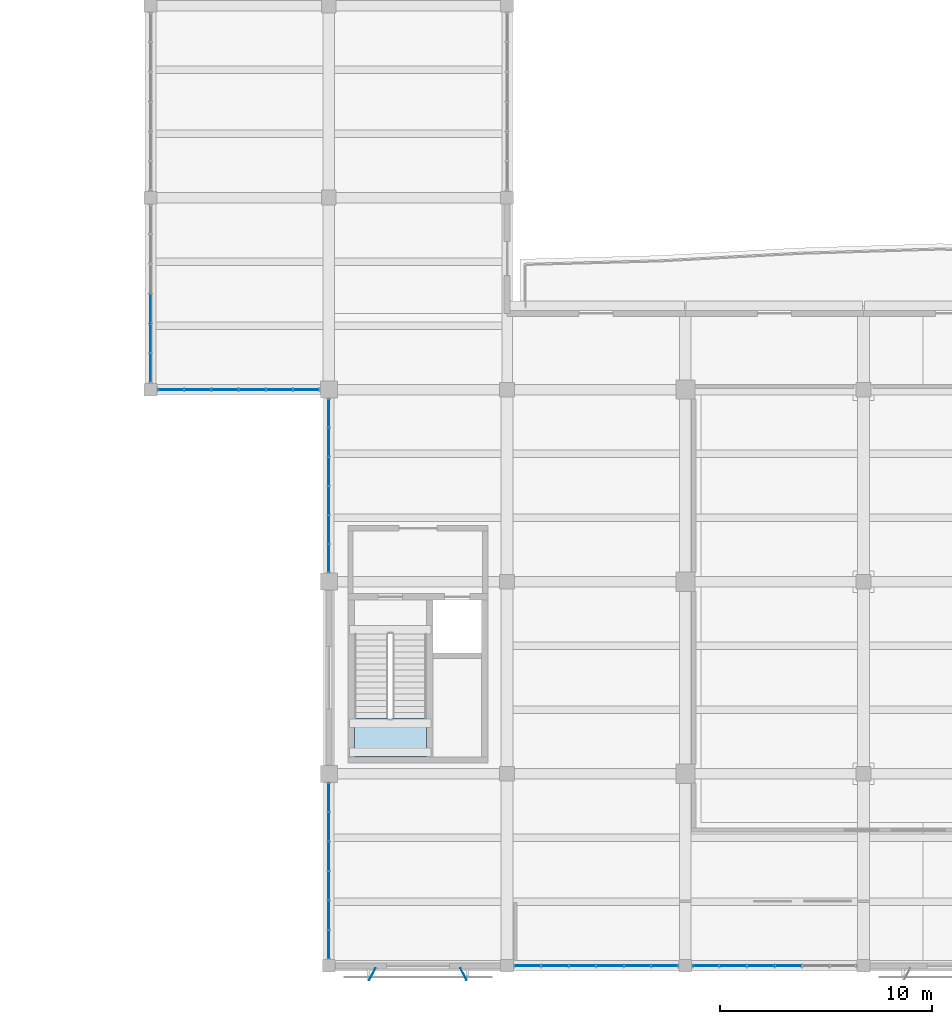
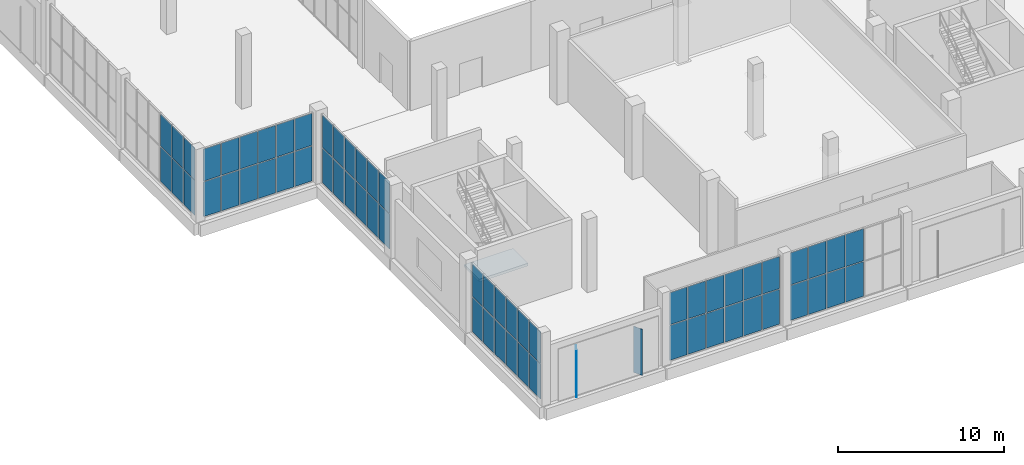
# One storey, part 94 of 132: 64 plates, 1 slab, 7 elements without a shape of their own.
"""IFC4 building model written with IfcOpenShell, lengths in metres."""

from ifc_helpers import new_model, si_unit, direction, frame, origin, origin_2d, place, context, subcontext, project, spatial, polyline, rectangle, outline, extrude, material, layer, layer_set, type_object, element, aggregate, save


model = new_model("IFC4")

# Units and contexts
model_context = context("Model", 3, precision=1e-05, world=origin(), true_north=direction((0.0, 1.0)))
body_context = subcontext(model_context, "Body", "Model", "MODEL_VIEW")
ifc_project = project(units=[si_unit("LENGTHUNIT", "METRE"), si_unit("AREAUNIT", "SQUARE_METRE"), si_unit("VOLUMEUNIT", "CUBIC_METRE"), si_unit("PLANEANGLEUNIT", "RADIAN"), si_unit("MASSUNIT", "GRAM", prefix="KILO")], contexts=[model_context])

# Site, building, storey
site_placement = place(None, origin())
site = spatial("IfcSite", under=ifc_project, at=site_placement, CompositionType="ELEMENT")
building_placement = place(site_placement, origin())
building = spatial("IfcBuilding", under=site, at=building_placement, Name="Khurvash Pelagic Aquarium", CompositionType="ELEMENT")
storey_placement = place(building_placement, frame((0.0, 0.0, 5.39990234375)))
storey = spatial("IfcBuildingStorey", under=building, at=storey_placement, Name="L01", CompositionType="ELEMENT", Elevation=5.39990234375)

# Curtain wall, plates
ifc_material_1 = material(Name="Anodised aluminium and low-E laminated glass", Category="aluminium")
curtain_wall_type_1 = type_object("IfcCurtainWallType", Name="CW-05", PredefinedType="USERDEFINED", material=ifc_material_1)
curtain_wall_1_placement = place(storey_placement, origin())
curtain_wall_1 = element("IfcCurtainWall", 1, at=curtain_wall_1_placement, inside=storey, type_object=curtain_wall_type_1, Name="L01 Facade Unitised Curtain Wall CW-05 0102", ObjectType="UNITISED CURTAIN WALL", PredefinedType="USERDEFINED")
ifc_material_2 = material(Name="Low-E laminated double glazing", Category="glass")
ifc_layer_1 = layer(ifc_material_2, 0.033935546875)
ifc_layer_set_1 = layer_set([ifc_layer_1], Name="Low-E laminated double glazing")
plate_type_1 = type_object("IfcPlateType", Name="CG-05", PredefinedType="CURTAIN_PANEL", material=ifc_layer_set_1)
plate_1_placement = place(storey_placement, frame((34.569091796875, 2.60009765625, 0.06005859375), z_axis=(0.0, 0.0, 1.0), x_axis=(1.0, 0.0, 0.0)))
plate_1 = element("IfcPlate", 2, at=plate_1_placement, type_object=plate_type_1, Name="CW-05 panel 1.1", PredefinedType="CURTAIN_PANEL", context=body_context, shape_type="SweptSolid", body=[
    extrude(rectangle(XDim=1.208251953125, YDim=0.033935546875, at=origin_2d()), origin(), (0.0, 0.0, 1.0), 2.56201171875),
])
plate_2_placement = place(storey_placement, frame((34.569091796875, 2.60009765625, 2.68212890625), z_axis=(0.0, 0.0, 1.0), x_axis=(1.0, 0.0, 0.0)))
plate_2 = element("IfcPlate", 3, at=plate_2_placement, type_object=plate_type_1, Name="CW-05 panel 1.2", PredefinedType="CURTAIN_PANEL", context=body_context, shape_type="SweptSolid", body=[
    extrude(rectangle(XDim=1.208251953125, YDim=0.033935546875, at=origin_2d()), origin(), (0.0, 0.0, 1.0), 2.35791015625),
])
plate_3_placement = place(storey_placement, frame((35.8525390625, 2.60009765625, 0.06005859375), z_axis=(0.0, 0.0, 1.0), x_axis=(1.0, 0.0, 0.0)))
plate_3 = element("IfcPlate", 4, at=plate_3_placement, type_object=plate_type_1, Name="CW-05 panel 2.1", PredefinedType="CURTAIN_PANEL", context=body_context, shape_type="SweptSolid", body=[
    extrude(rectangle(XDim=1.23828125, YDim=0.033935546875, at=origin_2d()), origin(), (0.0, 0.0, 1.0), 2.56201171875),
])
plate_4_placement = place(storey_placement, frame((35.8525390625, 2.60009765625, 2.68212890625), z_axis=(0.0, 0.0, 1.0), x_axis=(1.0, 0.0, 0.0)))
plate_4 = element("IfcPlate", 5, at=plate_4_placement, type_object=plate_type_1, Name="CW-05 panel 2.2", PredefinedType="CURTAIN_PANEL", context=body_context, shape_type="SweptSolid", body=[
    extrude(rectangle(XDim=1.23828125, YDim=0.033935546875, at=origin_2d()), origin(), (0.0, 0.0, 1.0), 2.35791015625),
])
plate_5_placement = place(storey_placement, frame((37.15087890625, 2.60009765625, 0.06005859375), z_axis=(0.0, 0.0, 1.0), x_axis=(1.0, 0.0, 0.0)))
plate_5 = element("IfcPlate", 6, at=plate_5_placement, type_object=plate_type_1, Name="CW-05 panel 3.1", PredefinedType="CURTAIN_PANEL", context=body_context, shape_type="SweptSolid", body=[
    extrude(rectangle(XDim=1.23828125, YDim=0.033935546875, at=origin_2d()), origin(), (0.0, 0.0, 1.0), 2.56201171875),
])
plate_6_placement = place(storey_placement, frame((37.15087890625, 2.60009765625, 2.68212890625), z_axis=(0.0, 0.0, 1.0), x_axis=(1.0, 0.0, 0.0)))
plate_6 = element("IfcPlate", 7, at=plate_6_placement, type_object=plate_type_1, Name="CW-05 panel 3.2", PredefinedType="CURTAIN_PANEL", context=body_context, shape_type="SweptSolid", body=[
    extrude(rectangle(XDim=1.23828125, YDim=0.033935546875, at=origin_2d()), origin(), (0.0, 0.0, 1.0), 2.35791015625),
])
plate_7_placement = place(storey_placement, frame((38.44921875, 2.60009765625, 0.06005859375), z_axis=(0.0, 0.0, 1.0), x_axis=(1.0, 0.0, 0.0)))
plate_7 = element("IfcPlate", 8, at=plate_7_placement, type_object=plate_type_1, Name="CW-05 panel 4.1", PredefinedType="CURTAIN_PANEL", context=body_context, shape_type="SweptSolid", body=[
    extrude(rectangle(XDim=1.23828125, YDim=0.033935546875, at=origin_2d()), origin(), (0.0, 0.0, 1.0), 2.56201171875),
])
plate_8_placement = place(storey_placement, frame((38.44921875, 2.60009765625, 2.68212890625), z_axis=(0.0, 0.0, 1.0), x_axis=(1.0, 0.0, 0.0)))
plate_8 = element("IfcPlate", 9, at=plate_8_placement, type_object=plate_type_1, Name="CW-05 panel 4.2", PredefinedType="CURTAIN_PANEL", context=body_context, shape_type="SweptSolid", body=[
    extrude(rectangle(XDim=1.23828125, YDim=0.033935546875, at=origin_2d()), origin(), (0.0, 0.0, 1.0), 2.35791015625),
])
plate_9_placement = place(storey_placement, frame((39.74755859375, 2.60009765625, 0.06005859375), z_axis=(0.0, 0.0, 1.0), x_axis=(1.0, 0.0, 0.0)))
plate_9 = element("IfcPlate", 10, at=plate_9_placement, type_object=plate_type_1, Name="CW-05 panel 5.1", PredefinedType="CURTAIN_PANEL", context=body_context, shape_type="SweptSolid", body=[
    extrude(rectangle(XDim=1.23828125, YDim=0.033935546875, at=origin_2d()), origin(), (0.0, 0.0, 1.0), 2.56201171875),
])
plate_10_placement = place(storey_placement, frame((39.74755859375, 2.60009765625, 2.68212890625), z_axis=(0.0, 0.0, 1.0), x_axis=(1.0, 0.0, 0.0)))
plate_10 = element("IfcPlate", 11, at=plate_10_placement, type_object=plate_type_1, Name="CW-05 panel 5.2", PredefinedType="CURTAIN_PANEL", context=body_context, shape_type="SweptSolid", body=[
    extrude(rectangle(XDim=1.23828125, YDim=0.033935546875, at=origin_2d()), origin(), (0.0, 0.0, 1.0), 2.35791015625),
])
plate_11_placement = place(storey_placement, frame((41.03076171875, 2.60009765625, 0.06005859375), z_axis=(0.0, 0.0, 1.0), x_axis=(1.0, 0.0, 0.0)))
plate_11 = element("IfcPlate", 12, at=plate_11_placement, type_object=plate_type_1, Name="CW-05 panel 6.1", PredefinedType="CURTAIN_PANEL", context=body_context, shape_type="SweptSolid", body=[
    extrude(rectangle(XDim=1.208251953125, YDim=0.033935546875, at=origin_2d()), origin(), (0.0, 0.0, 1.0), 2.56201171875),
])
plate_12_placement = place(storey_placement, frame((41.03076171875, 2.60009765625, 2.68212890625), z_axis=(0.0, 0.0, 1.0), x_axis=(1.0, 0.0, 0.0)))
plate_12 = element("IfcPlate", 13, at=plate_12_placement, type_object=plate_type_1, Name="CW-05 panel 6.2", PredefinedType="CURTAIN_PANEL", context=body_context, shape_type="SweptSolid", body=[
    extrude(rectangle(XDim=1.208251953125, YDim=0.033935546875, at=origin_2d()), origin(), (0.0, 0.0, 1.0), 2.35791015625),
])
aggregate(curtain_wall_1, [plate_1, plate_2, plate_3, plate_4, plate_5, plate_6, plate_7, plate_8, plate_9, plate_10, plate_11, plate_12])

curtain_wall_2_placement = place(storey_placement, origin())
curtain_wall_2 = element("IfcCurtainWall", 14, at=curtain_wall_2_placement, inside=storey, type_object=curtain_wall_type_1, Name="L01 Facade Unitised Curtain Wall CW-05 0103", ObjectType="UNITISED CURTAIN WALL", PredefinedType="USERDEFINED")
plate_13_placement = place(storey_placement, frame((42.96923828125, 2.60009765625, 0.06005859375), z_axis=(0.0, 0.0, 1.0), x_axis=(1.0, 0.0, 0.0)))
plate_13 = element("IfcPlate", 15, at=plate_13_placement, type_object=plate_type_1, Name="CW-05 panel 1.1", PredefinedType="CURTAIN_PANEL", context=body_context, shape_type="SweptSolid", body=[
    extrude(rectangle(XDim=1.208251953125, YDim=0.033935546875, at=origin_2d()), origin(), (0.0, 0.0, 1.0), 2.56201171875),
])
plate_14_placement = place(storey_placement, frame((42.96923828125, 2.60009765625, 2.68212890625), z_axis=(0.0, 0.0, 1.0), x_axis=(1.0, 0.0, 0.0)))
plate_14 = element("IfcPlate", 16, at=plate_14_placement, type_object=plate_type_1, Name="CW-05 panel 1.2", PredefinedType="CURTAIN_PANEL", context=body_context, shape_type="SweptSolid", body=[
    extrude(rectangle(XDim=1.208251953125, YDim=0.033935546875, at=origin_2d()), origin(), (0.0, 0.0, 1.0), 2.35791015625),
])
plate_15_placement = place(storey_placement, frame((44.25244140625, 2.60009765625, 0.06005859375), z_axis=(0.0, 0.0, 1.0), x_axis=(1.0, 0.0, 0.0)))
plate_15 = element("IfcPlate", 17, at=plate_15_placement, type_object=plate_type_1, Name="CW-05 panel 2.1", PredefinedType="CURTAIN_PANEL", context=body_context, shape_type="SweptSolid", body=[
    extrude(rectangle(XDim=1.23828125, YDim=0.033935546875, at=origin_2d()), origin(), (0.0, 0.0, 1.0), 2.56201171875),
])
plate_16_placement = place(storey_placement, frame((44.25244140625, 2.60009765625, 2.68212890625), z_axis=(0.0, 0.0, 1.0), x_axis=(1.0, 0.0, 0.0)))
plate_16 = element("IfcPlate", 18, at=plate_16_placement, type_object=plate_type_1, Name="CW-05 panel 2.2", PredefinedType="CURTAIN_PANEL", context=body_context, shape_type="SweptSolid", body=[
    extrude(rectangle(XDim=1.23828125, YDim=0.033935546875, at=origin_2d()), origin(), (0.0, 0.0, 1.0), 2.35791015625),
])
plate_17_placement = place(storey_placement, frame((45.55078125, 2.60009765625, 0.06005859375), z_axis=(0.0, 0.0, 1.0), x_axis=(1.0, 0.0, 0.0)))
plate_17 = element("IfcPlate", 19, at=plate_17_placement, type_object=plate_type_1, Name="CW-05 panel 3.1", PredefinedType="CURTAIN_PANEL", context=body_context, shape_type="SweptSolid", body=[
    extrude(rectangle(XDim=1.23828125, YDim=0.033935546875, at=origin_2d()), origin(), (0.0, 0.0, 1.0), 2.56201171875),
])
plate_18_placement = place(storey_placement, frame((45.55078125, 2.60009765625, 2.68212890625), z_axis=(0.0, 0.0, 1.0), x_axis=(1.0, 0.0, 0.0)))
plate_18 = element("IfcPlate", 20, at=plate_18_placement, type_object=plate_type_1, Name="CW-05 panel 3.2", PredefinedType="CURTAIN_PANEL", context=body_context, shape_type="SweptSolid", body=[
    extrude(rectangle(XDim=1.23828125, YDim=0.033935546875, at=origin_2d()), origin(), (0.0, 0.0, 1.0), 2.35791015625),
])
plate_19_placement = place(storey_placement, frame((46.84912109375, 2.60009765625, 0.06005859375), z_axis=(0.0, 0.0, 1.0), x_axis=(1.0, 0.0, 0.0)))
plate_19 = element("IfcPlate", 21, at=plate_19_placement, type_object=plate_type_1, Name="CW-05 panel 4.1", PredefinedType="CURTAIN_PANEL", context=body_context, shape_type="SweptSolid", body=[
    extrude(rectangle(XDim=1.23828125, YDim=0.033935546875, at=origin_2d()), origin(), (0.0, 0.0, 1.0), 2.56201171875),
])
plate_20_placement = place(storey_placement, frame((46.84912109375, 2.60009765625, 2.68212890625), z_axis=(0.0, 0.0, 1.0), x_axis=(1.0, 0.0, 0.0)))
plate_20 = element("IfcPlate", 22, at=plate_20_placement, type_object=plate_type_1, Name="CW-05 panel 4.2", PredefinedType="CURTAIN_PANEL", context=body_context, shape_type="SweptSolid", body=[
    extrude(rectangle(XDim=1.23828125, YDim=0.033935546875, at=origin_2d()), origin(), (0.0, 0.0, 1.0), 2.35791015625),
])
aggregate(curtain_wall_2, [plate_13, plate_14, plate_15, plate_16, plate_17, plate_18, plate_19, plate_20])

curtain_wall_3_placement = place(storey_placement, origin())
curtain_wall_3 = element("IfcCurtainWall", 23, at=curtain_wall_3_placement, inside=storey, type_object=curtain_wall_type_1, Name="L01 Facade Unitised Curtain Wall CW-05 0130", ObjectType="UNITISED CURTAIN WALL", PredefinedType="USERDEFINED")
plate_21_placement = place(storey_placement, frame((17.7607421875, 29.75, 0.06005859375), z_axis=(0.0, 0.0, 1.0), x_axis=(1.0, 0.0, 0.0)))
plate_21 = element("IfcPlate", 24, at=plate_21_placement, type_object=plate_type_1, Name="CW-05 panel 1.1", PredefinedType="CURTAIN_PANEL", context=body_context, shape_type="SweptSolid", body=[
    extrude(rectangle(XDim=1.191650390625, YDim=0.033935546875, at=origin_2d()), origin(), (0.0, 0.0, 1.0), 2.56201171875),
])
plate_22_placement = place(storey_placement, frame((17.7607421875, 29.75, 2.68212890625), z_axis=(0.0, 0.0, 1.0), x_axis=(1.0, 0.0, 0.0)))
plate_22 = element("IfcPlate", 25, at=plate_22_placement, type_object=plate_type_1, Name="CW-05 panel 1.2", PredefinedType="CURTAIN_PANEL", context=body_context, shape_type="SweptSolid", body=[
    extrude(rectangle(XDim=1.191650390625, YDim=0.033935546875, at=origin_2d()), origin(), (0.0, 0.0, 1.0), 2.35791015625),
])
plate_23_placement = place(storey_placement, frame((19.027587890625, 29.75, 0.06005859375), z_axis=(0.0, 0.0, 1.0), x_axis=(1.0, 0.0, 0.0)))
plate_23 = element("IfcPlate", 26, at=plate_23_placement, type_object=plate_type_1, Name="CW-05 panel 2.1", PredefinedType="CURTAIN_PANEL", context=body_context, shape_type="SweptSolid", body=[
    extrude(rectangle(XDim=1.2216796875, YDim=0.033935546875, at=origin_2d()), origin(), (0.0, 0.0, 1.0), 2.56201171875),
])
plate_24_placement = place(storey_placement, frame((19.027587890625, 29.75, 2.68212890625), z_axis=(0.0, 0.0, 1.0), x_axis=(1.0, 0.0, 0.0)))
plate_24 = element("IfcPlate", 27, at=plate_24_placement, type_object=plate_type_1, Name="CW-05 panel 2.2", PredefinedType="CURTAIN_PANEL", context=body_context, shape_type="SweptSolid", body=[
    extrude(rectangle(XDim=1.2216796875, YDim=0.033935546875, at=origin_2d()), origin(), (0.0, 0.0, 1.0), 2.35791015625),
])
plate_25_placement = place(storey_placement, frame((20.30908203125, 29.75, 0.06005859375), z_axis=(0.0, 0.0, 1.0), x_axis=(1.0, 0.0, 0.0)))
plate_25 = element("IfcPlate", 28, at=plate_25_placement, type_object=plate_type_1, Name="CW-05 panel 3.1", PredefinedType="CURTAIN_PANEL", context=body_context, shape_type="SweptSolid", body=[
    extrude(rectangle(XDim=1.2216796875, YDim=0.033935546875, at=origin_2d()), origin(), (0.0, 0.0, 1.0), 2.56201171875),
])
plate_26_placement = place(storey_placement, frame((20.30908203125, 29.75, 2.68212890625), z_axis=(0.0, 0.0, 1.0), x_axis=(1.0, 0.0, 0.0)))
plate_26 = element("IfcPlate", 29, at=plate_26_placement, type_object=plate_type_1, Name="CW-05 panel 3.2", PredefinedType="CURTAIN_PANEL", context=body_context, shape_type="SweptSolid", body=[
    extrude(rectangle(XDim=1.2216796875, YDim=0.033935546875, at=origin_2d()), origin(), (0.0, 0.0, 1.0), 2.35791015625),
])
plate_27_placement = place(storey_placement, frame((21.5908203125, 29.75, 0.06005859375), z_axis=(0.0, 0.0, 1.0), x_axis=(1.0, 0.0, 0.0)))
plate_27 = element("IfcPlate", 30, at=plate_27_placement, type_object=plate_type_1, Name="CW-05 panel 4.1", PredefinedType="CURTAIN_PANEL", context=body_context, shape_type="SweptSolid", body=[
    extrude(rectangle(XDim=1.2216796875, YDim=0.033935546875, at=origin_2d()), origin(), (0.0, 0.0, 1.0), 2.56201171875),
])
plate_28_placement = place(storey_placement, frame((21.5908203125, 29.75, 2.68212890625), z_axis=(0.0, 0.0, 1.0), x_axis=(1.0, 0.0, 0.0)))
plate_28 = element("IfcPlate", 31, at=plate_28_placement, type_object=plate_type_1, Name="CW-05 panel 4.2", PredefinedType="CURTAIN_PANEL", context=body_context, shape_type="SweptSolid", body=[
    extrude(rectangle(XDim=1.2216796875, YDim=0.033935546875, at=origin_2d()), origin(), (0.0, 0.0, 1.0), 2.35791015625),
])
plate_29_placement = place(storey_placement, frame((22.87255859375, 29.75, 0.06005859375), z_axis=(0.0, 0.0, 1.0), x_axis=(1.0, 0.0, 0.0)))
plate_29 = element("IfcPlate", 32, at=plate_29_placement, type_object=plate_type_1, Name="CW-05 panel 5.1", PredefinedType="CURTAIN_PANEL", context=body_context, shape_type="SweptSolid", body=[
    extrude(rectangle(XDim=1.2216796875, YDim=0.033935546875, at=origin_2d()), origin(), (0.0, 0.0, 1.0), 2.56201171875),
])
plate_30_placement = place(storey_placement, frame((22.87255859375, 29.75, 2.68212890625), z_axis=(0.0, 0.0, 1.0), x_axis=(1.0, 0.0, 0.0)))
plate_30 = element("IfcPlate", 33, at=plate_30_placement, type_object=plate_type_1, Name="CW-05 panel 5.2", PredefinedType="CURTAIN_PANEL", context=body_context, shape_type="SweptSolid", body=[
    extrude(rectangle(XDim=1.2216796875, YDim=0.033935546875, at=origin_2d()), origin(), (0.0, 0.0, 1.0), 2.35791015625),
])
plate_31_placement = place(storey_placement, frame((24.13916015625, 29.75, 0.06005859375), z_axis=(0.0, 0.0, 1.0), x_axis=(1.0, 0.0, 0.0)))
plate_31 = element("IfcPlate", 34, at=plate_31_placement, type_object=plate_type_1, Name="CW-05 panel 6.1", PredefinedType="CURTAIN_PANEL", context=body_context, shape_type="SweptSolid", body=[
    extrude(rectangle(XDim=1.191650390625, YDim=0.033935546875, at=origin_2d()), origin(), (0.0, 0.0, 1.0), 2.56201171875),
])
plate_32_placement = place(storey_placement, frame((24.13916015625, 29.75, 2.68212890625), z_axis=(0.0, 0.0, 1.0), x_axis=(1.0, 0.0, 0.0)))
plate_32 = element("IfcPlate", 35, at=plate_32_placement, type_object=plate_type_1, Name="CW-05 panel 6.2", PredefinedType="CURTAIN_PANEL", context=body_context, shape_type="SweptSolid", body=[
    extrude(rectangle(XDim=1.191650390625, YDim=0.033935546875, at=origin_2d()), origin(), (0.0, 0.0, 1.0), 2.35791015625),
])
aggregate(curtain_wall_3, [plate_21, plate_22, plate_23, plate_24, plate_25, plate_26, plate_27, plate_28, plate_29, plate_30, plate_31, plate_32])

curtain_wall_type_2 = type_object("IfcCurtainWallType", Name="CW-06", PredefinedType="USERDEFINED", material=ifc_material_1)
curtain_wall_4_placement = place(storey_placement, origin())
curtain_wall_4 = element("IfcCurtainWall", 36, at=curtain_wall_4_placement, inside=storey, type_object=curtain_wall_type_2, Name="L01 Facade Unitised Curtain Wall CW-06 0100", ObjectType="UNITISED CURTAIN WALL", PredefinedType="USERDEFINED")
ifc_layer_2 = layer(ifc_material_2, 0.030029296875)
ifc_layer_set_2 = layer_set([ifc_layer_2], Name="Low-E laminated double glazing")
plate_type_2 = type_object("IfcPlateType", Name="CG-06", PredefinedType="CURTAIN_PANEL", material=ifc_layer_set_2)
plate_33_placement = place(storey_placement, frame((25.199951171875, 28.643310546875, 0.06005859375), z_axis=(0.0, 0.0, 1.0), x_axis=(0.0, -1.0, 0.0)))
plate_33 = element("IfcPlate", 37, at=plate_33_placement, type_object=plate_type_2, Name="CW-06 panel 1.1", PredefinedType="CURTAIN_PANEL", context=body_context, shape_type="SweptSolid", body=[
    extrude(rectangle(XDim=1.283447265625, YDim=0.030029296875, at=origin_2d()), origin(), (0.0, 0.0, 1.0), 2.56201171875),
])
plate_34_placement = place(storey_placement, frame((25.199951171875, 28.643310546875, 2.68212890625), z_axis=(0.0, 0.0, 1.0), x_axis=(0.0, -1.0, 0.0)))
plate_34 = element("IfcPlate", 38, at=plate_34_placement, type_object=plate_type_2, Name="CW-06 panel 1.2", PredefinedType="CURTAIN_PANEL", context=body_context, shape_type="SweptSolid", body=[
    extrude(rectangle(XDim=1.283447265625, YDim=0.030029296875, at=origin_2d()), origin(), (0.0, 0.0, 1.0), 2.35791015625),
])
plate_35_placement = place(storey_placement, frame((25.199951171875, 27.284912109375, 0.06005859375), z_axis=(0.0, 0.0, 1.0), x_axis=(0.0, -1.0, 0.0)))
plate_35 = element("IfcPlate", 39, at=plate_35_placement, type_object=plate_type_2, Name="CW-06 panel 2.1", PredefinedType="CURTAIN_PANEL", context=body_context, shape_type="SweptSolid", body=[
    extrude(rectangle(XDim=1.313232421875, YDim=0.030029296875, at=origin_2d()), origin(), (0.0, 0.0, 1.0), 2.56201171875),
])
plate_36_placement = place(storey_placement, frame((25.199951171875, 27.284912109375, 2.68212890625), z_axis=(0.0, 0.0, 1.0), x_axis=(0.0, -1.0, 0.0)))
plate_36 = element("IfcPlate", 40, at=plate_36_placement, type_object=plate_type_2, Name="CW-06 panel 2.2", PredefinedType="CURTAIN_PANEL", context=body_context, shape_type="SweptSolid", body=[
    extrude(rectangle(XDim=1.313232421875, YDim=0.030029296875, at=origin_2d()), origin(), (0.0, 0.0, 1.0), 2.35791015625),
])
plate_37_placement = place(storey_placement, frame((25.199951171875, 25.91162109375, 0.06005859375), z_axis=(0.0, 0.0, 1.0), x_axis=(0.0, -1.0, 0.0)))
plate_37 = element("IfcPlate", 41, at=plate_37_placement, type_object=plate_type_2, Name="CW-06 panel 3.1", PredefinedType="CURTAIN_PANEL", context=body_context, shape_type="SweptSolid", body=[
    extrude(rectangle(XDim=1.313232421875, YDim=0.030029296875, at=origin_2d()), origin(), (0.0, 0.0, 1.0), 2.56201171875),
])
plate_38_placement = place(storey_placement, frame((25.199951171875, 25.91162109375, 2.68212890625), z_axis=(0.0, 0.0, 1.0), x_axis=(0.0, -1.0, 0.0)))
plate_38 = element("IfcPlate", 42, at=plate_38_placement, type_object=plate_type_2, Name="CW-06 panel 3.2", PredefinedType="CURTAIN_PANEL", context=body_context, shape_type="SweptSolid", body=[
    extrude(rectangle(XDim=1.313232421875, YDim=0.030029296875, at=origin_2d()), origin(), (0.0, 0.0, 1.0), 2.35791015625),
])
plate_39_placement = place(storey_placement, frame((25.199951171875, 24.538330078125, 0.06005859375), z_axis=(0.0, 0.0, 1.0), x_axis=(0.0, -1.0, 0.0)))
plate_39 = element("IfcPlate", 43, at=plate_39_placement, type_object=plate_type_2, Name="CW-06 panel 4.1", PredefinedType="CURTAIN_PANEL", context=body_context, shape_type="SweptSolid", body=[
    extrude(rectangle(XDim=1.313232421875, YDim=0.030029296875, at=origin_2d()), origin(), (0.0, 0.0, 1.0), 2.56201171875),
])
plate_40_placement = place(storey_placement, frame((25.199951171875, 24.538330078125, 2.68212890625), z_axis=(0.0, 0.0, 1.0), x_axis=(0.0, -1.0, 0.0)))
plate_40 = element("IfcPlate", 44, at=plate_40_placement, type_object=plate_type_2, Name="CW-06 panel 4.2", PredefinedType="CURTAIN_PANEL", context=body_context, shape_type="SweptSolid", body=[
    extrude(rectangle(XDim=1.313232421875, YDim=0.030029296875, at=origin_2d()), origin(), (0.0, 0.0, 1.0), 2.35791015625),
])
plate_41_placement = place(storey_placement, frame((25.199951171875, 23.1650390625, 0.06005859375), z_axis=(0.0, 0.0, 1.0), x_axis=(0.0, -1.0, 0.0)))
plate_41 = element("IfcPlate", 45, at=plate_41_placement, type_object=plate_type_2, Name="CW-06 panel 5.1", PredefinedType="CURTAIN_PANEL", context=body_context, shape_type="SweptSolid", body=[
    extrude(rectangle(XDim=1.313232421875, YDim=0.030029296875, at=origin_2d()), origin(), (0.0, 0.0, 1.0), 2.56201171875),
])
plate_42_placement = place(storey_placement, frame((25.199951171875, 23.1650390625, 2.68212890625), z_axis=(0.0, 0.0, 1.0), x_axis=(0.0, -1.0, 0.0)))
plate_42 = element("IfcPlate", 46, at=plate_42_placement, type_object=plate_type_2, Name="CW-06 panel 5.2", PredefinedType="CURTAIN_PANEL", context=body_context, shape_type="SweptSolid", body=[
    extrude(rectangle(XDim=1.313232421875, YDim=0.030029296875, at=origin_2d()), origin(), (0.0, 0.0, 1.0), 2.35791015625),
])
plate_43_placement = place(storey_placement, frame((25.199951171875, 21.806640625, 0.06005859375), z_axis=(0.0, 0.0, 1.0), x_axis=(0.0, -1.0, 0.0)))
plate_43 = element("IfcPlate", 47, at=plate_43_placement, type_object=plate_type_2, Name="CW-06 panel 6.1", PredefinedType="CURTAIN_PANEL", context=body_context, shape_type="SweptSolid", body=[
    extrude(rectangle(XDim=1.283447265625, YDim=0.030029296875, at=origin_2d()), origin(), (0.0, 0.0, 1.0), 2.56201171875),
])
plate_44_placement = place(storey_placement, frame((25.199951171875, 21.806640625, 2.68212890625), z_axis=(0.0, 0.0, 1.0), x_axis=(0.0, -1.0, 0.0)))
plate_44 = element("IfcPlate", 48, at=plate_44_placement, type_object=plate_type_2, Name="CW-06 panel 6.2", PredefinedType="CURTAIN_PANEL", context=body_context, shape_type="SweptSolid", body=[
    extrude(rectangle(XDim=1.283447265625, YDim=0.030029296875, at=origin_2d()), origin(), (0.0, 0.0, 1.0), 2.35791015625),
])
aggregate(curtain_wall_4, [plate_33, plate_34, plate_35, plate_36, plate_37, plate_38, plate_39, plate_40, plate_41, plate_42, plate_43, plate_44])

curtain_wall_5_placement = place(storey_placement, origin())
curtain_wall_5 = element("IfcCurtainWall", 49, at=curtain_wall_5_placement, inside=storey, type_object=curtain_wall_type_2, Name="L01 Facade Unitised Curtain Wall CW-06 0101", ObjectType="UNITISED CURTAIN WALL", PredefinedType="USERDEFINED")
plate_45_placement = place(storey_placement, frame((25.199951171875, 10.534912109375, 0.06005859375), z_axis=(0.0, 0.0, 1.0), x_axis=(0.0, -1.0, 0.0)))
plate_45 = element("IfcPlate", 50, at=plate_45_placement, type_object=plate_type_2, Name="CW-06 panel 1.1", PredefinedType="CURTAIN_PANEL", context=body_context, shape_type="SweptSolid", body=[
    extrude(rectangle(XDim=1.300048828125, YDim=0.030029296875, at=origin_2d()), origin(), (0.0, 0.0, 1.0), 2.56201171875),
])
plate_46_placement = place(storey_placement, frame((25.199951171875, 10.534912109375, 2.68212890625), z_axis=(0.0, 0.0, 1.0), x_axis=(0.0, -1.0, 0.0)))
plate_46 = element("IfcPlate", 51, at=plate_46_placement, type_object=plate_type_2, Name="CW-06 panel 1.2", PredefinedType="CURTAIN_PANEL", context=body_context, shape_type="SweptSolid", body=[
    extrude(rectangle(XDim=1.300048828125, YDim=0.030029296875, at=origin_2d()), origin(), (0.0, 0.0, 1.0), 2.35791015625),
])
plate_47_placement = place(storey_placement, frame((25.199951171875, 9.159912109375, 0.06005859375), z_axis=(0.0, 0.0, 1.0), x_axis=(0.0, -1.0, 0.0)))
plate_47 = element("IfcPlate", 52, at=plate_47_placement, type_object=plate_type_2, Name="CW-06 panel 2.1", PredefinedType="CURTAIN_PANEL", context=body_context, shape_type="SweptSolid", body=[
    extrude(rectangle(XDim=1.330078125, YDim=0.030029296875, at=origin_2d()), origin(), (0.0, 0.0, 1.0), 2.56201171875),
])
plate_48_placement = place(storey_placement, frame((25.199951171875, 9.159912109375, 2.68212890625), z_axis=(0.0, 0.0, 1.0), x_axis=(0.0, -1.0, 0.0)))
plate_48 = element("IfcPlate", 53, at=plate_48_placement, type_object=plate_type_2, Name="CW-06 panel 2.2", PredefinedType="CURTAIN_PANEL", context=body_context, shape_type="SweptSolid", body=[
    extrude(rectangle(XDim=1.330078125, YDim=0.030029296875, at=origin_2d()), origin(), (0.0, 0.0, 1.0), 2.35791015625),
])
plate_49_placement = place(storey_placement, frame((25.199951171875, 7.77001953125, 0.06005859375), z_axis=(0.0, 0.0, 1.0), x_axis=(0.0, -1.0, 0.0)))
plate_49 = element("IfcPlate", 54, at=plate_49_placement, type_object=plate_type_2, Name="CW-06 panel 3.1", PredefinedType="CURTAIN_PANEL", context=body_context, shape_type="SweptSolid", body=[
    extrude(rectangle(XDim=1.330078125, YDim=0.030029296875, at=origin_2d()), origin(), (0.0, 0.0, 1.0), 2.56201171875),
])
plate_50_placement = place(storey_placement, frame((25.199951171875, 7.77001953125, 2.68212890625), z_axis=(0.0, 0.0, 1.0), x_axis=(0.0, -1.0, 0.0)))
plate_50 = element("IfcPlate", 55, at=plate_50_placement, type_object=plate_type_2, Name="CW-06 panel 3.2", PredefinedType="CURTAIN_PANEL", context=body_context, shape_type="SweptSolid", body=[
    extrude(rectangle(XDim=1.330078125, YDim=0.030029296875, at=origin_2d()), origin(), (0.0, 0.0, 1.0), 2.35791015625),
])
plate_51_placement = place(storey_placement, frame((25.199951171875, 6.3798828125, 0.06005859375), z_axis=(0.0, 0.0, 1.0), x_axis=(0.0, -1.0, 0.0)))
plate_51 = element("IfcPlate", 56, at=plate_51_placement, type_object=plate_type_2, Name="CW-06 panel 4.1", PredefinedType="CURTAIN_PANEL", context=body_context, shape_type="SweptSolid", body=[
    extrude(rectangle(XDim=1.330078125, YDim=0.030029296875, at=origin_2d()), origin(), (0.0, 0.0, 1.0), 2.56201171875),
])
plate_52_placement = place(storey_placement, frame((25.199951171875, 6.3798828125, 2.68212890625), z_axis=(0.0, 0.0, 1.0), x_axis=(0.0, -1.0, 0.0)))
plate_52 = element("IfcPlate", 57, at=plate_52_placement, type_object=plate_type_2, Name="CW-06 panel 4.2", PredefinedType="CURTAIN_PANEL", context=body_context, shape_type="SweptSolid", body=[
    extrude(rectangle(XDim=1.330078125, YDim=0.030029296875, at=origin_2d()), origin(), (0.0, 0.0, 1.0), 2.35791015625),
])
plate_53_placement = place(storey_placement, frame((25.199951171875, 4.989990234375, 0.06005859375), z_axis=(0.0, 0.0, 1.0), x_axis=(0.0, -1.0, 0.0)))
plate_53 = element("IfcPlate", 58, at=plate_53_placement, type_object=plate_type_2, Name="CW-06 panel 5.1", PredefinedType="CURTAIN_PANEL", context=body_context, shape_type="SweptSolid", body=[
    extrude(rectangle(XDim=1.330078125, YDim=0.030029296875, at=origin_2d()), origin(), (0.0, 0.0, 1.0), 2.56201171875),
])
plate_54_placement = place(storey_placement, frame((25.199951171875, 4.989990234375, 2.68212890625), z_axis=(0.0, 0.0, 1.0), x_axis=(0.0, -1.0, 0.0)))
plate_54 = element("IfcPlate", 59, at=plate_54_placement, type_object=plate_type_2, Name="CW-06 panel 5.2", PredefinedType="CURTAIN_PANEL", context=body_context, shape_type="SweptSolid", body=[
    extrude(rectangle(XDim=1.330078125, YDim=0.030029296875, at=origin_2d()), origin(), (0.0, 0.0, 1.0), 2.35791015625),
])
plate_55_placement = place(storey_placement, frame((25.199951171875, 3.614990234375, 0.06005859375), z_axis=(0.0, 0.0, 1.0), x_axis=(0.0, -1.0, 0.0)))
plate_55 = element("IfcPlate", 60, at=plate_55_placement, type_object=plate_type_2, Name="CW-06 panel 6.1", PredefinedType="CURTAIN_PANEL", context=body_context, shape_type="SweptSolid", body=[
    extrude(rectangle(XDim=1.300048828125, YDim=0.030029296875, at=origin_2d()), origin(), (0.0, 0.0, 1.0), 2.56201171875),
])
plate_56_placement = place(storey_placement, frame((25.199951171875, 3.614990234375, 2.68212890625), z_axis=(0.0, 0.0, 1.0), x_axis=(0.0, -1.0, 0.0)))
plate_56 = element("IfcPlate", 61, at=plate_56_placement, type_object=plate_type_2, Name="CW-06 panel 6.2", PredefinedType="CURTAIN_PANEL", context=body_context, shape_type="SweptSolid", body=[
    extrude(rectangle(XDim=1.300048828125, YDim=0.030029296875, at=origin_2d()), origin(), (0.0, 0.0, 1.0), 2.35791015625),
])
aggregate(curtain_wall_5, [plate_45, plate_46, plate_47, plate_48, plate_49, plate_50, plate_51, plate_52, plate_53, plate_54, plate_55, plate_56])

curtain_wall_6_placement = place(storey_placement, origin())
curtain_wall_6 = element("IfcCurtainWall", 62, at=curtain_wall_6_placement, inside=storey, type_object=curtain_wall_type_2, Name="L01 Facade Unitised Curtain Wall CW-06 0129", ObjectType="UNITISED CURTAIN WALL", PredefinedType="USERDEFINED")
plate_57_placement = place(storey_placement, frame((16.800048828125, 33.57177734375, 0.06005859375), z_axis=(0.0, 0.0, 1.0), x_axis=(0.0, -1.0, 0.0)))
plate_57 = element("IfcPlate", 63, at=plate_57_placement, type_object=plate_type_2, Name="CW-06 panel 4.1", PredefinedType="CURTAIN_PANEL", context=body_context, shape_type="SweptSolid", body=[
    extrude(rectangle(XDim=1.3466796875, YDim=0.030029296875, at=origin_2d()), origin(), (0.0, 0.0, 1.0), 2.56201171875),
])
plate_58_placement = place(storey_placement, frame((16.800048828125, 33.57177734375, 2.68212890625), z_axis=(0.0, 0.0, 1.0), x_axis=(0.0, -1.0, 0.0)))
plate_58 = element("IfcPlate", 64, at=plate_58_placement, type_object=plate_type_2, Name="CW-06 panel 4.2", PredefinedType="CURTAIN_PANEL", context=body_context, shape_type="SweptSolid", body=[
    extrude(rectangle(XDim=1.3466796875, YDim=0.030029296875, at=origin_2d()), origin(), (0.0, 0.0, 1.0), 2.35791015625),
])
plate_59_placement = place(storey_placement, frame((16.800048828125, 32.1650390625, 0.06005859375), z_axis=(0.0, 0.0, 1.0), x_axis=(0.0, -1.0, 0.0)))
plate_59 = element("IfcPlate", 65, at=plate_59_placement, type_object=plate_type_2, Name="CW-06 panel 5.1", PredefinedType="CURTAIN_PANEL", context=body_context, shape_type="SweptSolid", body=[
    extrude(rectangle(XDim=1.3466796875, YDim=0.030029296875, at=origin_2d()), origin(), (0.0, 0.0, 1.0), 2.56201171875),
])
plate_60_placement = place(storey_placement, frame((16.800048828125, 32.1650390625, 2.68212890625), z_axis=(0.0, 0.0, 1.0), x_axis=(0.0, -1.0, 0.0)))
plate_60 = element("IfcPlate", 66, at=plate_60_placement, type_object=plate_type_2, Name="CW-06 panel 5.2", PredefinedType="CURTAIN_PANEL", context=body_context, shape_type="SweptSolid", body=[
    extrude(rectangle(XDim=1.3466796875, YDim=0.030029296875, at=origin_2d()), origin(), (0.0, 0.0, 1.0), 2.35791015625),
])
plate_61_placement = place(storey_placement, frame((16.800048828125, 30.7734375, 0.06005859375), z_axis=(0.0, 0.0, 1.0), x_axis=(0.0, -1.0, 0.0)))
plate_61 = element("IfcPlate", 67, at=plate_61_placement, type_object=plate_type_2, Name="CW-06 panel 6.1", PredefinedType="CURTAIN_PANEL", context=body_context, shape_type="SweptSolid", body=[
    extrude(rectangle(XDim=1.316650390625, YDim=0.030029296875, at=origin_2d()), origin(), (0.0, 0.0, 1.0), 2.56201171875),
])
plate_62_placement = place(storey_placement, frame((16.800048828125, 30.7734375, 2.68212890625), z_axis=(0.0, 0.0, 1.0), x_axis=(0.0, -1.0, 0.0)))
plate_62 = element("IfcPlate", 68, at=plate_62_placement, type_object=plate_type_2, Name="CW-06 panel 6.2", PredefinedType="CURTAIN_PANEL", context=body_context, shape_type="SweptSolid", body=[
    extrude(rectangle(XDim=1.316650390625, YDim=0.030029296875, at=origin_2d()), origin(), (0.0, 0.0, 1.0), 2.35791015625),
])
aggregate(curtain_wall_6, [plate_57, plate_58, plate_59, plate_60, plate_61, plate_62])

# Stair, slab
ifc_material_3 = material(Name="Concrete C35/45", Category="concrete")
stair_type = type_object("IfcStairType", Name="ST-01", PredefinedType="HALF_TURN_STAIR", material=ifc_material_3)
stair_placement = place(storey_placement, origin())
stair = element("IfcStair", 69, at=stair_placement, inside=storey, type_object=stair_type, Name="L01 Protected Exit Stair ST-01", PredefinedType="HALF_TURN_STAIR")
ifc_layer_3 = layer(ifc_material_3, 0.199951171875)
ifc_layer_set_3 = layer_set([ifc_layer_3], Name="Concrete C35/45")
slab_type = type_object("IfcSlabType", Name="SL-LND-200", PredefinedType="LANDING", material=ifc_layer_set_3)
slab_placement = place(storey_placement, frame((0.0, 0.0, 2.5)))
slab = element("IfcSlab", 70, at=slab_placement, type_object=slab_type, Name="ST-01 landing 1", PredefinedType="LANDING", context=body_context, shape_type="SweptSolid", body=[
    extrude(outline(polyline([(26.39990234375, 14.260009765625), (26.39990234375, 12.449951171875), (29.800048828125, 12.449951171875), (29.800048828125, 14.260009765625), (26.39990234375, 14.260009765625)])), origin(), (0.0, 0.0, 1.0), 0.2001953125),
])
aggregate(stair, [slab])

# Plates
ifc_material_4 = material(Name="Anodised aluminium AW-5005", Category="aluminium")
ifc_layer_4 = layer(ifc_material_4, 0.02392578125)
ifc_layer_set_4 = layer_set([ifc_layer_4], Name="Anodised aluminium AW-5005")
plate_type_3 = type_object("IfcPlateType", Name="SP-01", PredefinedType="SHEET", material=ifc_layer_set_4)
for number, where, z_axis, x_axis, name in (
    (71, (27.25, 2.2119140625, 0.150146484375), (0.0, 0.0, 1.0), (-0.469471562786, -0.882947592859, 0.0), "L01 Parametric Folded Aluminium Solar Screen Fin SP-01 0001"),
    (72, (31.550048828125, 2.2119140625, 0.150146484375), (0.0, 0.0, 1.0), (0.469471562786, -0.882947592859, 0.0), "L01 Parametric Folded Aluminium Solar Screen Fin SP-01 0002"),
):
    element("IfcPlate", number, at=place(storey_placement, frame(where, z_axis=z_axis, x_axis=x_axis)), inside=storey, type_object=plate_type_3, Name=name, PredefinedType="SHEET", context=body_context, shape_type="SweptSolid", body=[
        extrude(rectangle(XDim=0.6201171875, YDim=0.02392578125, at=origin_2d()), origin(), (0.0, 0.0, 1.0), 3.39990234375),
    ])

save(model, "model.ifc")
